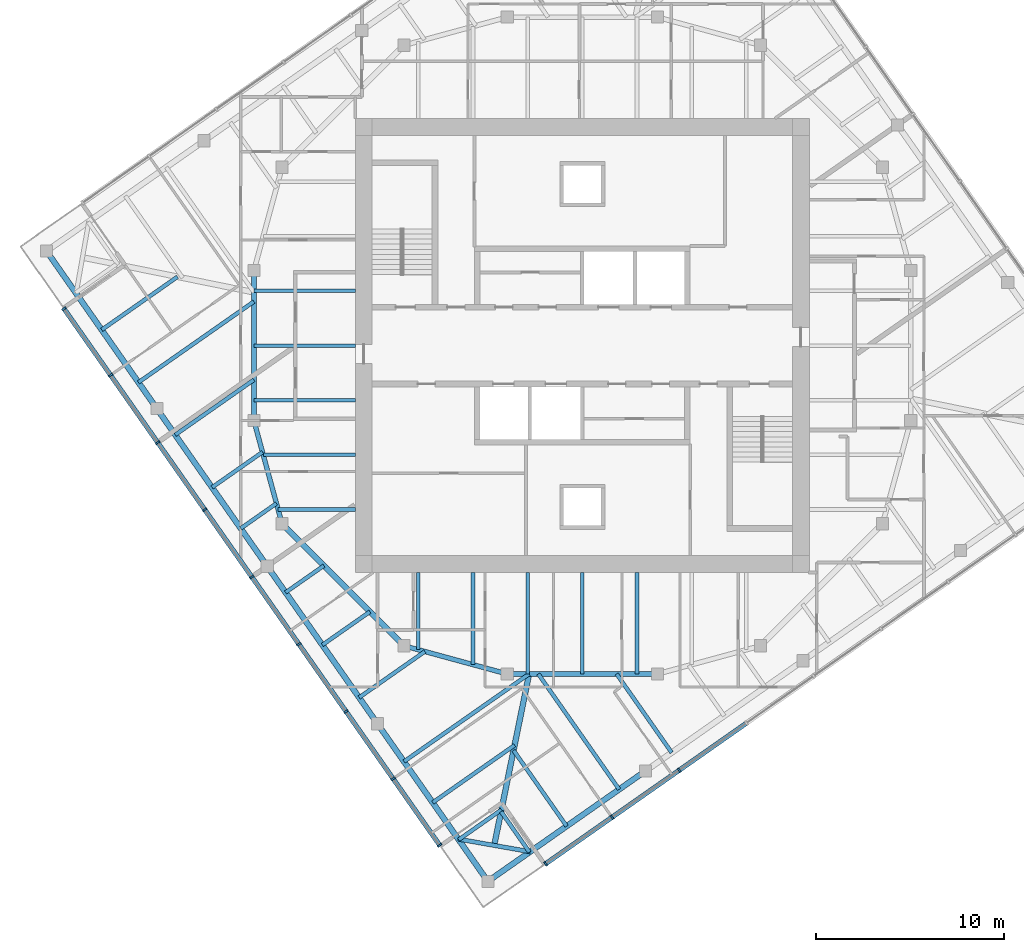
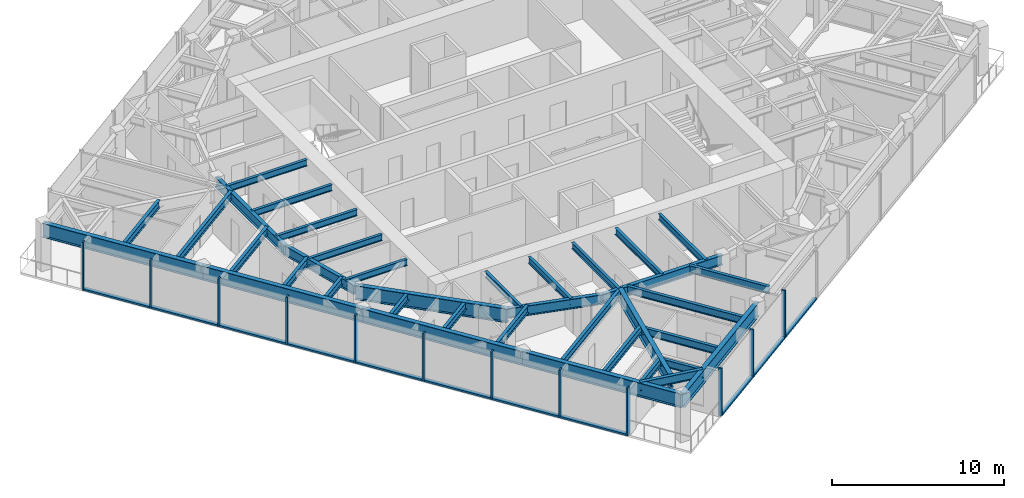
# One storey, part 2 of 13: 37 beams, 23 members, 2 elements without a shape of their own.
"""IFC4 building model written with IfcOpenShell, lengths in metres."""

from ifc_helpers import new_model, si_unit, direction, frame, origin, origin_2d, place, context, subcontext, project, spatial, rectangle, i_section, extrude, material, material_profile, profile_set, type_object, element, aggregate, save


model = new_model("IFC4")

# Units and contexts
model_context = context("Model", 3, precision=1e-05, world=origin(), true_north=direction((0.0, 1.0)))
body_context = subcontext(model_context, "Body", "Model", "MODEL_VIEW")
ifc_project = project(units=[si_unit("LENGTHUNIT", "METRE"), si_unit("AREAUNIT", "SQUARE_METRE"), si_unit("VOLUMEUNIT", "CUBIC_METRE"), si_unit("PLANEANGLEUNIT", "RADIAN"), si_unit("MASSUNIT", "GRAM", prefix="KILO")], contexts=[model_context])

# Site, building, storey
site_placement = place(None, origin())
site = spatial("IfcSite", under=ifc_project, at=site_placement, CompositionType="ELEMENT")
building_placement = place(site_placement, origin())
building = spatial("IfcBuilding", under=site, at=building_placement, Name="Torsade Residences", CompositionType="ELEMENT")
storey_placement = place(building_placement, frame((0.0, 0.0, 260.800048828125)))
storey = spatial("IfcBuildingStorey", under=building, at=storey_placement, Name="L72", CompositionType="ELEMENT", Elevation=260.800048828125)

# Beams
ifc_material_1 = material(Name="Steel grade 300", Category="steel")
ifc_material_profile_1 = material_profile(ifc_material_1, i_section(OverallWidth=0.300048828125, OverallDepth=0.89990234375, WebThickness=0.011962890625, FlangeThickness=0.02490234375, at=origin_2d()), Name="900WB175")
ifc_profile_set_1 = profile_set([ifc_material_profile_1], Name="Steel grade 300")
beam_type_1 = type_object("IfcBeamType", Name="CORNER GIRDER 900WB175", PredefinedType="BEAM", material=ifc_profile_set_1)
beam_1_placement = place(storey_placement, frame((35.303466796875, 3.364013671875, 2.800048828125), z_axis=(0.199584461589, 0.979880626756, 0.0), x_axis=(-0.979880626756, 0.199584461589, 0.0)))
element("IfcBeam", 1, at=beam_1_placement, inside=storey, type_object=beam_type_1, Name="Corner girder 01 L73", PredefinedType="BEAM", context=body_context, shape_type="SweptSolid", body=[
    extrude(i_section(OverallWidth=0.300048828125, OverallDepth=0.89990234375, WebThickness=0.011962890625, FlangeThickness=0.02490234375, at=origin_2d()), origin(), (0.0, 0.0, 1.0), 9.323486328125),
])
ifc_material_2 = material(Name="Steel grade 300", Category="steel")
ifc_material_profile_2 = material_profile(ifc_material_2, i_section(OverallWidth=0.22802734375, OverallDepth=0.60205078125, WebThickness=0.010498046875, FlangeThickness=0.014892578125, FilletRadius=0.013916015625, at=origin_2d()), Name="610UB101")
ifc_profile_set_2 = profile_set([ifc_material_profile_2], Name="Steel grade 300")
beam_type_2 = type_object("IfcBeamType", Name="CORNER TRIMMER 610UB101", PredefinedType="BEAM", material=ifc_profile_set_2)
beam_2_placement = place(storey_placement, frame((37.21826171875, 3.0263671875, 2.948974609375), z_axis=(-0.984808196894, 0.173645660267, 0.0), x_axis=(-0.173645660267, -0.984808196894, 0.0)))
element("IfcBeam", 2, at=beam_2_placement, inside=storey, type_object=beam_type_2, Name="Corner trimmer 01 L73", PredefinedType="BEAM", context=body_context, shape_type="SweptSolid", body=[
    extrude(i_section(OverallWidth=0.22802734375, OverallDepth=0.60205078125, WebThickness=0.010498046875, FlangeThickness=0.014892578125, FilletRadius=0.013916015625, at=origin_2d()), origin(), (0.0, 0.0, 1.0), 3.888916015625),
])
ifc_material_3 = material(Name="Steel grade 300", Category="steel")
ifc_material_profile_3 = material_profile(ifc_material_3, i_section(OverallWidth=0.300048828125, OverallDepth=1.0, WebThickness=0.01611328125, FlangeThickness=0.028076171875, at=origin_2d()), Name="1000WB215")
ifc_profile_set_3 = profile_set([ifc_material_profile_3], Name="Steel grade 300")
beam_type_3 = type_object("IfcBeamType", Name="EDGE BEAM 1000WB215", PredefinedType="SPANDREL", material=ifc_profile_set_3)
for number, where, z_axis, x_axis, name in (
    (3, (34.9658203125, 1.448974609375, 2.75), (0.819150225126, 0.573579034377, 0.0), (-0.573579034377, 0.819150225126, 0.0), "Edge beam 01 L73"),
    (4, (11.448974609375, 35.0341796875, 2.75), (0.573579034377, -0.819150225126, 0.0), (0.819150225126, 0.573579034377, 0.0), "Edge beam 13 L73"),
    (5, (17.328125, 26.637939453125, 2.75), (0.573579034377, -0.819150225126, 0.0), (0.819150225126, 0.573579034377, 0.0), "Edge beam 14 L73"),
    (6, (23.207275390625, 18.24169921875, 2.75), (0.573579034377, -0.819150225126, 0.0), (0.819150225126, 0.573579034377, 0.0), "Edge beam 15 L73"),
):
    element("IfcBeam", number, at=place(storey_placement, frame(where, z_axis=z_axis, x_axis=x_axis)), inside=storey, type_object=beam_type_3, Name=name, PredefinedType="SPANDREL", context=body_context, shape_type="SweptSolid", body=[
        extrude(i_section(OverallWidth=0.300048828125, OverallDepth=1.0, WebThickness=0.01611328125, FlangeThickness=0.028076171875, at=origin_2d()), origin(), (0.0, 0.0, 1.0), 10.25),
    ])
beam_3_placement = place(storey_placement, frame((29.08642578125, 9.845458984375, 2.75), z_axis=(0.573583825578, -0.819146870247, 0.0), x_axis=(0.819146870247, 0.573583825578, 0.0)))
element("IfcBeam", 7, at=beam_3_placement, inside=storey, type_object=beam_type_3, Name="Edge beam 16 L73", PredefinedType="SPANDREL", context=body_context, shape_type="SweptSolid", body=[
    extrude(i_section(OverallWidth=0.300048828125, OverallDepth=1.0, WebThickness=0.01611328125, FlangeThickness=0.028076171875, at=origin_2d()), origin(), (0.0, 0.0, 1.0), 10.250244140625),
])

# Curtain wall, members
ifc_material_4 = material(Name="Aluminium and glass", Category="aluminium")
curtain_wall_type = type_object("IfcCurtainWallType", Name="FRITTED GLASS CURTAIN WALL HIGH ZONE", PredefinedType="NOTDEFINED", material=ifc_material_4)
curtain_wall_1_placement = place(storey_placement, origin())
curtain_wall_1 = element("IfcCurtainWall", 8, at=curtain_wall_1_placement, inside=storey, type_object=curtain_wall_type, Name="Curtain wall L72 face 1", PredefinedType="NOTDEFINED")
ifc_material_5 = material(Name="Aluminium mullion", Category="aluminium")
ifc_material_profile_4 = material_profile(ifc_material_5, rectangle(XDim=0.25, YDim=0.10009765625, at=origin_2d()), Name="HIGH ZONE CURTAIN WALL MULLION 250x100")
ifc_profile_set_4 = profile_set([ifc_material_profile_4], Name="Aluminium mullion")
member_type_1 = type_object("IfcMemberType", Name="HIGH ZONE CURTAIN WALL MULLION 250x100", PredefinedType="MULLION", material=ifc_profile_set_4)
member_1_placement = place(storey_placement, frame((38.03759765625, 2.37939453125, 0.0), z_axis=(0.0, 0.0, 1.0), x_axis=(-0.573576457682, 0.819152029353, 0.0)))
member_1 = element("IfcMember", 9, at=member_1_placement, type_object=member_type_1, Name="Mullion 1", PredefinedType="MULLION", context=body_context, shape_type="SweptSolid", body=[
    extrude(rectangle(XDim=0.25, YDim=0.10009765625, at=origin_2d()), origin(), (0.0, 0.0, 1.0), 3.39990234375),
])
member_2_placement = place(storey_placement, frame((41.58056640625, 4.860107421875, 0.0), z_axis=(0.0, 0.0, 1.0), x_axis=(-0.573576457682, 0.819152029353, 0.0)))
member_2 = element("IfcMember", 10, at=member_2_placement, type_object=member_type_1, Name="Mullion 2", PredefinedType="MULLION", context=body_context, shape_type="SweptSolid", body=[
    extrude(rectangle(XDim=0.25, YDim=0.10009765625, at=origin_2d()), origin(), (0.0, 0.0, 1.0), 3.39990234375),
])
member_3_placement = place(storey_placement, frame((45.164306640625, 7.369384765625, 0.0), z_axis=(0.0, 0.0, 1.0), x_axis=(-0.573576457682, 0.819152029353, 0.0)))
member_3 = element("IfcMember", 11, at=member_3_placement, type_object=member_type_1, Name="Mullion 3", PredefinedType="MULLION", context=body_context, shape_type="SweptSolid", body=[
    extrude(rectangle(XDim=0.25, YDim=0.10009765625, at=origin_2d()), origin(), (0.0, 0.0, 1.0), 3.39990234375),
])

curtain_wall_2_placement = place(storey_placement, origin())
curtain_wall_2 = element("IfcCurtainWall", 12, at=curtain_wall_2_placement, inside=storey, type_object=curtain_wall_type, Name="Curtain wall L72 face 10", PredefinedType="NOTDEFINED")
member_4_placement = place(storey_placement, frame((12.37939453125, 31.96240234375, 0.0), z_axis=(0.0, 0.0, 1.0), x_axis=(0.819152029353, 0.573576457682, 0.0)))
member_4 = element("IfcMember", 13, at=member_4_placement, type_object=member_type_1, Name="Mullion 1", PredefinedType="MULLION", context=body_context, shape_type="SweptSolid", body=[
    extrude(rectangle(XDim=0.25, YDim=0.10009765625, at=origin_2d()), origin(), (0.0, 0.0, 1.0), 3.39990234375),
])
member_5_placement = place(storey_placement, frame((14.860107421875, 28.41943359375, 0.0), z_axis=(0.0, 0.0, 1.0), x_axis=(0.819152029353, 0.573576457682, 0.0)))
member_5 = element("IfcMember", 14, at=member_5_placement, type_object=member_type_1, Name="Mullion 2", PredefinedType="MULLION", context=body_context, shape_type="SweptSolid", body=[
    extrude(rectangle(XDim=0.25, YDim=0.10009765625, at=origin_2d()), origin(), (0.0, 0.0, 1.0), 3.39990234375),
])
member_6_placement = place(storey_placement, frame((17.369384765625, 24.835693359375, 0.0), z_axis=(0.0, 0.0, 1.0), x_axis=(0.819152029353, 0.573576457682, 0.0)))
member_6 = element("IfcMember", 15, at=member_6_placement, type_object=member_type_1, Name="Mullion 3", PredefinedType="MULLION", context=body_context, shape_type="SweptSolid", body=[
    extrude(rectangle(XDim=0.25, YDim=0.10009765625, at=origin_2d()), origin(), (0.0, 0.0, 1.0), 3.39990234375),
])
member_7_placement = place(storey_placement, frame((19.87890625, 21.251953125, 0.0), z_axis=(0.0, 0.0, 1.0), x_axis=(0.819152029353, 0.573576457682, 0.0)))
member_7 = element("IfcMember", 16, at=member_7_placement, type_object=member_type_1, Name="Mullion 4", PredefinedType="MULLION", context=body_context, shape_type="SweptSolid", body=[
    extrude(rectangle(XDim=0.25, YDim=0.10009765625, at=origin_2d()), origin(), (0.0, 0.0, 1.0), 3.39990234375),
])
member_8_placement = place(storey_placement, frame((22.38818359375, 17.668212890625, 0.0), z_axis=(0.0, 0.0, 1.0), x_axis=(0.819152029353, 0.573576457682, 0.0)))
member_8 = element("IfcMember", 17, at=member_8_placement, type_object=member_type_1, Name="Mullion 5", PredefinedType="MULLION", context=body_context, shape_type="SweptSolid", body=[
    extrude(rectangle(XDim=0.25, YDim=0.10009765625, at=origin_2d()), origin(), (0.0, 0.0, 1.0), 3.39990234375),
])
member_9_placement = place(storey_placement, frame((24.897705078125, 14.084228515625, 0.0), z_axis=(0.0, 0.0, 1.0), x_axis=(0.819152029353, 0.573576457682, 0.0)))
member_9 = element("IfcMember", 18, at=member_9_placement, type_object=member_type_1, Name="Mullion 6", PredefinedType="MULLION", context=body_context, shape_type="SweptSolid", body=[
    extrude(rectangle(XDim=0.25, YDim=0.10009765625, at=origin_2d()), origin(), (0.0, 0.0, 1.0), 3.39990234375),
])
member_10_placement = place(storey_placement, frame((27.406982421875, 10.50048828125, 0.0), z_axis=(0.0, 0.0, 1.0), x_axis=(0.819152029353, 0.573576457682, 0.0)))
member_10 = element("IfcMember", 19, at=member_10_placement, type_object=member_type_1, Name="Mullion 7", PredefinedType="MULLION", context=body_context, shape_type="SweptSolid", body=[
    extrude(rectangle(XDim=0.25, YDim=0.10009765625, at=origin_2d()), origin(), (0.0, 0.0, 1.0), 3.39990234375),
])
member_11_placement = place(storey_placement, frame((29.91650390625, 6.916748046875, 0.0), z_axis=(0.0, 0.0, 1.0), x_axis=(0.819152029353, 0.573576457682, 0.0)))
member_11 = element("IfcMember", 20, at=member_11_placement, type_object=member_type_1, Name="Mullion 8", PredefinedType="MULLION", context=body_context, shape_type="SweptSolid", body=[
    extrude(rectangle(XDim=0.25, YDim=0.10009765625, at=origin_2d()), origin(), (0.0, 0.0, 1.0), 3.39990234375),
])
member_12_placement = place(storey_placement, frame((32.397216796875, 3.3740234375, 0.0), z_axis=(0.0, 0.0, 1.0), x_axis=(0.819152029353, 0.573576457682, 0.0)))
member_12 = element("IfcMember", 21, at=member_12_placement, type_object=member_type_1, Name="Mullion 9", PredefinedType="MULLION", context=body_context, shape_type="SweptSolid", body=[
    extrude(rectangle(XDim=0.25, YDim=0.10009765625, at=origin_2d()), origin(), (0.0, 0.0, 1.0), 3.39990234375),
])

# Member
ifc_material_6 = material(Name="Aluminium transom", Category="aluminium")
ifc_material_profile_5 = material_profile(ifc_material_6, rectangle(XDim=0.25, YDim=0.1201171875, at=origin_2d()), Name="HIGH ZONE CURTAIN WALL TRANSOM 250x120")
ifc_profile_set_5 = profile_set([ifc_material_profile_5], Name="Aluminium transom")
member_type_2 = type_object("IfcMemberType", Name="HIGH ZONE CURTAIN WALL TRANSOM 250x120", PredefinedType="USERDEFINED", material=ifc_profile_set_5)
member_13_placement = place(storey_placement, frame((38.07861328125, 2.407958984375, 0.06005859375), z_axis=(0.819155901234, 0.573570928023, 0.0), x_axis=(-0.573570928023, 0.819155901234, 0.0)))
member_13 = element("IfcMember", 22, at=member_13_placement, type_object=member_type_2, Name="Transom 1.1", ObjectType="TRANSOM", PredefinedType="USERDEFINED", context=body_context, shape_type="SweptSolid", body=[
    extrude(rectangle(XDim=0.25, YDim=0.1201171875, at=origin_2d()), origin(), (0.0, 0.0, 1.0), 4.22509765625),
])

member_14_placement = place(storey_placement, frame((41.62158203125, 4.888671875, 0.06005859375), z_axis=(0.819127269283, 0.573611817101, 0.0), x_axis=(-0.573611817101, 0.819127269283, 0.0)))
member_14 = element("IfcMember", 23, at=member_14_placement, type_object=member_type_2, Name="Transom 2.1", ObjectType="TRANSOM", PredefinedType="USERDEFINED", context=body_context, shape_type="SweptSolid", body=[
    extrude(rectangle(XDim=0.25, YDim=0.1201171875, at=origin_2d()), origin(), (0.0, 0.0, 1.0), 4.27490234375),
])

member_15_placement = place(storey_placement, frame((45.205322265625, 7.398193359375, 0.06005859375), z_axis=(0.819154102984, 0.573573496219, 0.0), x_axis=(-0.573573496219, 0.819154102984, 0.0)))
member_15 = element("IfcMember", 24, at=member_15_placement, type_object=member_type_2, Name="Transom 3.1", ObjectType="TRANSOM", PredefinedType="USERDEFINED", context=body_context, shape_type="SweptSolid", body=[
    extrude(rectangle(XDim=0.25, YDim=0.1201171875, at=origin_2d()), origin(), (0.0, 0.0, 1.0), 4.27490234375),
])

aggregate(curtain_wall_1, [member_1, member_2, member_3, member_13, member_14, member_15])

member_16_placement = place(storey_placement, frame((12.407958984375, 31.92138671875, 0.06005859375), z_axis=(0.573570928023, -0.819155901234, 0.0), x_axis=(0.819155901234, 0.573570928023, 0.0)))
member_16 = element("IfcMember", 25, at=member_16_placement, type_object=member_type_2, Name="Transom 1.1", ObjectType="TRANSOM", PredefinedType="USERDEFINED", context=body_context, shape_type="SweptSolid", body=[
    extrude(rectangle(XDim=0.25, YDim=0.1201171875, at=origin_2d()), origin(), (0.0, 0.0, 1.0), 4.22509765625),
])

member_17_placement = place(storey_placement, frame((14.888671875, 28.37841796875, 0.06005859375), z_axis=(0.573611817101, -0.819127269283, 0.0), x_axis=(0.819127269283, 0.573611817101, 0.0)))
member_17 = element("IfcMember", 26, at=member_17_placement, type_object=member_type_2, Name="Transom 2.1", ObjectType="TRANSOM", PredefinedType="USERDEFINED", context=body_context, shape_type="SweptSolid", body=[
    extrude(rectangle(XDim=0.25, YDim=0.1201171875, at=origin_2d()), origin(), (0.0, 0.0, 1.0), 4.27490234375),
])

member_18_placement = place(storey_placement, frame((17.398193359375, 24.794677734375, 0.06005859375), z_axis=(0.573573496219, -0.819154102984, 0.0), x_axis=(0.819154102984, 0.573573496219, 0.0)))
member_18 = element("IfcMember", 27, at=member_18_placement, type_object=member_type_2, Name="Transom 3.1", ObjectType="TRANSOM", PredefinedType="USERDEFINED", context=body_context, shape_type="SweptSolid", body=[
    extrude(rectangle(XDim=0.25, YDim=0.1201171875, at=origin_2d()), origin(), (0.0, 0.0, 1.0), 4.27490234375),
])

member_19_placement = place(storey_placement, frame((19.907470703125, 21.2109375, 0.06005859375), z_axis=(0.57358498433, -0.819146058863, 0.0), x_axis=(0.819146058863, 0.57358498433, 0.0)))
member_19 = element("IfcMember", 28, at=member_19_placement, type_object=member_type_2, Name="Transom 4.1", ObjectType="TRANSOM", PredefinedType="USERDEFINED", context=body_context, shape_type="SweptSolid", body=[
    extrude(rectangle(XDim=0.25, YDim=0.1201171875, at=origin_2d()), origin(), (0.0, 0.0, 1.0), 4.275146484375),
])

member_20_placement = place(storey_placement, frame((22.4169921875, 17.627197265625, 0.06005859375), z_axis=(0.573546663483, -0.81917289067, 0.0), x_axis=(0.81917289067, 0.573546663483, 0.0)))
member_20 = element("IfcMember", 29, at=member_20_placement, type_object=member_type_2, Name="Transom 5.1", ObjectType="TRANSOM", PredefinedType="USERDEFINED", context=body_context, shape_type="SweptSolid", body=[
    extrude(rectangle(XDim=0.25, YDim=0.1201171875, at=origin_2d()), origin(), (0.0, 0.0, 1.0), 4.27490234375),
])

member_21_placement = place(storey_placement, frame((24.92626953125, 14.04345703125, 0.06005859375), z_axis=(0.57358498433, -0.819146058863, 0.0), x_axis=(0.819146058863, 0.57358498433, 0.0)))
member_21 = element("IfcMember", 30, at=member_21_placement, type_object=member_type_2, Name="Transom 6.1", ObjectType="TRANSOM", PredefinedType="USERDEFINED", context=body_context, shape_type="SweptSolid", body=[
    extrude(rectangle(XDim=0.25, YDim=0.1201171875, at=origin_2d()), origin(), (0.0, 0.0, 1.0), 4.275146484375),
])

member_22_placement = place(storey_placement, frame((27.435791015625, 10.45947265625, 0.06005859375), z_axis=(0.573573496219, -0.819154102984, 0.0), x_axis=(0.819154102984, 0.573573496219, 0.0)))
member_22 = element("IfcMember", 31, at=member_22_placement, type_object=member_type_2, Name="Transom 7.1", ObjectType="TRANSOM", PredefinedType="USERDEFINED", context=body_context, shape_type="SweptSolid", body=[
    extrude(rectangle(XDim=0.25, YDim=0.1201171875, at=origin_2d()), origin(), (0.0, 0.0, 1.0), 4.27490234375),
])

member_23_placement = place(storey_placement, frame((29.945068359375, 6.875732421875, 0.06005859375), z_axis=(0.573570928023, -0.819155901234, 0.0), x_axis=(0.819155901234, 0.573570928023, 0.0)))
member_23 = element("IfcMember", 32, at=member_23_placement, type_object=member_type_2, Name="Transom 8.1", ObjectType="TRANSOM", PredefinedType="USERDEFINED", context=body_context, shape_type="SweptSolid", body=[
    extrude(rectangle(XDim=0.25, YDim=0.1201171875, at=origin_2d()), origin(), (0.0, 0.0, 1.0), 4.22509765625),
])

aggregate(curtain_wall_2, [member_4, member_5, member_6, member_7, member_8, member_9, member_10, member_11, member_12, member_16, member_17, member_18, member_19, member_20, member_21, member_22, member_23])

# Beams
ifc_material_7 = material(Name="Steel grade 300", Category="steel")
ifc_material_profile_6 = material_profile(ifc_material_7, i_section(OverallWidth=0.18994140625, OverallDepth=0.4541015625, WebThickness=0.008544921875, FlangeThickness=0.0126953125, FilletRadius=0.011474609375, at=origin_2d()), Name="460UB67.1")
ifc_profile_set_6 = profile_set([ifc_material_profile_6], Name="Steel grade 300")
beam_type_4 = type_object("IfcBeamType", Name="INNER FLOOR BEAM 460UB67.1", PredefinedType="JOIST", material=ifc_profile_set_6)
for number, where, z_axis, x_axis, name in (
    (33, (42.91259765625, 17.89990234375, 3.02294921875), (0.0, -1.0, 0.0), (1.0, 0.0, 0.0), "Inner floor beam IS03 L73"),
    (34, (40.0, 17.89990234375, 3.02294921875), (0.0, -1.0, 0.0), (1.0, 0.0, 0.0), "Inner floor beam IS04 L73"),
    (35, (37.08740234375, 17.89990234375, 3.02294921875), (0.0, -1.0, 0.0), (1.0, 0.0, 0.0), "Inner floor beam IS05 L73"),
):
    element("IfcBeam", number, at=place(storey_placement, frame(where, z_axis=z_axis, x_axis=x_axis)), inside=storey, type_object=beam_type_4, Name=name, PredefinedType="JOIST", context=body_context, shape_type="SweptSolid", body=[
        extrude(i_section(OverallWidth=0.18994140625, OverallDepth=0.4541015625, WebThickness=0.008544921875, FlangeThickness=0.0126953125, FilletRadius=0.011474609375, at=origin_2d()), origin(), (0.0, 0.0, 1.0), 5.39990234375),
    ])
beam_4_placement = place(storey_placement, frame((34.175048828125, 17.89990234375, 3.02294921875), z_axis=(0.0, -1.0, 0.0), x_axis=(1.0, 0.0, 0.0)))
element("IfcBeam", 36, at=beam_4_placement, inside=storey, type_object=beam_type_4, Name="Inner floor beam IS06 L73", PredefinedType="JOIST", context=body_context, shape_type="SweptSolid", body=[
    extrude(i_section(OverallWidth=0.18994140625, OverallDepth=0.4541015625, WebThickness=0.008544921875, FlangeThickness=0.0126953125, FilletRadius=0.011474609375, at=origin_2d()), origin(), (0.0, 0.0, 1.0), 4.902099609375),
])
beam_5_placement = place(storey_placement, frame((31.262451171875, 17.89990234375, 3.02294921875), z_axis=(0.0, -1.0, 0.0), x_axis=(1.0, 0.0, 0.0)))
element("IfcBeam", 37, at=beam_5_placement, inside=storey, type_object=beam_type_4, Name="Inner floor beam IS07 L73", PredefinedType="JOIST", context=body_context, shape_type="SweptSolid", body=[
    extrude(i_section(OverallWidth=0.18994140625, OverallDepth=0.4541015625, WebThickness=0.008544921875, FlangeThickness=0.0126953125, FilletRadius=0.011474609375, at=origin_2d()), origin(), (0.0, 0.0, 1.0), 4.10791015625),
])
for number, where, z_axis, x_axis, name in (
    (38, (27.89990234375, 32.91259765625, 3.02294921875), (-1.0, 0.0, 0.0), (0.0, -1.0, 0.0), "Inner floor beam IW03 L73"),
    (39, (27.89990234375, 30.0, 3.02294921875), (-1.0, 0.0, 0.0), (0.0, -1.0, 0.0), "Inner floor beam IW04 L73"),
    (40, (27.89990234375, 27.08740234375, 3.02294921875), (-1.0, 0.0, 0.0), (0.0, -1.0, 0.0), "Inner floor beam IW05 L73"),
):
    element("IfcBeam", number, at=place(storey_placement, frame(where, z_axis=z_axis, x_axis=x_axis)), inside=storey, type_object=beam_type_4, Name=name, PredefinedType="JOIST", context=body_context, shape_type="SweptSolid", body=[
        extrude(i_section(OverallWidth=0.18994140625, OverallDepth=0.4541015625, WebThickness=0.008544921875, FlangeThickness=0.0126953125, FilletRadius=0.011474609375, at=origin_2d()), origin(), (0.0, 0.0, 1.0), 5.39990234375),
    ])
beam_6_placement = place(storey_placement, frame((27.89990234375, 24.175048828125, 3.02294921875), z_axis=(-1.0, 0.0, 0.0), x_axis=(0.0, -1.0, 0.0)))
element("IfcBeam", 41, at=beam_6_placement, inside=storey, type_object=beam_type_4, Name="Inner floor beam IW06 L73", PredefinedType="JOIST", context=body_context, shape_type="SweptSolid", body=[
    extrude(i_section(OverallWidth=0.18994140625, OverallDepth=0.4541015625, WebThickness=0.008544921875, FlangeThickness=0.0126953125, FilletRadius=0.011474609375, at=origin_2d()), origin(), (0.0, 0.0, 1.0), 4.902099609375),
])
beam_7_placement = place(storey_placement, frame((27.89990234375, 21.262451171875, 3.02294921875), z_axis=(-1.0, 0.0, 0.0), x_axis=(0.0, -1.0, 0.0)))
element("IfcBeam", 42, at=beam_7_placement, inside=storey, type_object=beam_type_4, Name="Inner floor beam IW07 L73", PredefinedType="JOIST", context=body_context, shape_type="SweptSolid", body=[
    extrude(i_section(OverallWidth=0.18994140625, OverallDepth=0.4541015625, WebThickness=0.008544921875, FlangeThickness=0.0126953125, FilletRadius=0.011474609375, at=origin_2d()), origin(), (0.0, 0.0, 1.0), 4.10791015625),
])
ifc_material_8 = material(Name="Steel grade 300", Category="steel")
ifc_material_profile_7 = material_profile(ifc_material_8, i_section(OverallWidth=0.300048828125, OverallDepth=1.0, WebThickness=0.01611328125, FlangeThickness=0.028076171875, at=origin_2d()), Name="1000WB215")
ifc_profile_set_7 = profile_set([ifc_material_profile_7], Name="Steel grade 300")
beam_type_5 = type_object("IfcBeamType", Name="RING CORNER GIRDER 1000WB215", PredefinedType="BEAM", material=ifc_profile_set_7)
beam_8_placement = place(storey_placement, frame((24.0, 20.5, 2.75), z_axis=(0.707106781187, -0.707106781187, 0.0), x_axis=(0.707106781187, 0.707106781187, 0.0)))
element("IfcBeam", 43, at=beam_8_placement, inside=storey, type_object=beam_type_5, Name="Ring girder IR11 L73", PredefinedType="BEAM", context=body_context, shape_type="SweptSolid", body=[
    extrude(i_section(OverallWidth=0.300048828125, OverallDepth=1.0, WebThickness=0.01611328125, FlangeThickness=0.028076171875, at=origin_2d()), origin(), (0.0, 0.0, 1.0), 9.1923828125),
])
ifc_material_9 = material(Name="Steel grade 300", Category="steel")
ifc_material_profile_8 = material_profile(ifc_material_9, i_section(OverallWidth=0.25, OverallDepth=0.699951171875, WebThickness=0.010009765625, FlangeThickness=0.02001953125, at=origin_2d()), Name="700WB130")
ifc_profile_set_8 = profile_set([ifc_material_profile_8], Name="Steel grade 300")
beam_type_6 = type_object("IfcBeamType", Name="RING GIRDER 700WB130", PredefinedType="BEAM", material=ifc_profile_set_8)
beam_9_placement = place(storey_placement, frame((22.5, 34.0, 2.89990234375), z_axis=(0.0, -1.0, 0.0), x_axis=(1.0, 0.0, 0.0)))
element("IfcBeam", 44, at=beam_9_placement, inside=storey, type_object=beam_type_6, Name="Ring girder IR09 L73", PredefinedType="BEAM", context=body_context, shape_type="SweptSolid", body=[
    extrude(i_section(OverallWidth=0.25, OverallDepth=0.699951171875, WebThickness=0.010009765625, FlangeThickness=0.02001953125, at=origin_2d()), origin(), (0.0, 0.0, 1.0), 8.0),
])
for number, where, z_axis, x_axis, name in (
    (45, (22.5, 26.0, 2.89990234375), (0.263117405792, -0.964763821238, 0.0), (0.964763821238, 0.263117405792, 0.0), "Ring girder IR10 L73"),
    (46, (30.5, 14.0, 2.89990234375), (0.964763821238, -0.263117405792, 0.0), (0.263117405792, 0.964763821238, 0.0), "Ring girder IR12 L73"),
):
    element("IfcBeam", number, at=place(storey_placement, frame(where, z_axis=z_axis, x_axis=x_axis)), inside=storey, type_object=beam_type_6, Name=name, PredefinedType="BEAM", context=body_context, shape_type="SweptSolid", body=[
        extrude(i_section(OverallWidth=0.25, OverallDepth=0.699951171875, WebThickness=0.010009765625, FlangeThickness=0.02001953125, at=origin_2d()), origin(), (0.0, 0.0, 1.0), 5.700927734375),
    ])
beam_10_placement = place(storey_placement, frame((36.0, 12.5, 2.89990234375), z_axis=(1.0, 0.0, 0.0), x_axis=(0.0, 1.0, 0.0)))
element("IfcBeam", 47, at=beam_10_placement, inside=storey, type_object=beam_type_6, Name="Ring girder IR13 L73", PredefinedType="BEAM", context=body_context, shape_type="SweptSolid", body=[
    extrude(i_section(OverallWidth=0.25, OverallDepth=0.699951171875, WebThickness=0.010009765625, FlangeThickness=0.02001953125, at=origin_2d()), origin(), (0.0, 0.0, 1.0), 8.0),
])
ifc_material_10 = material(Name="Steel grade 300", Category="steel")
ifc_material_profile_9 = material_profile(ifc_material_10, i_section(OverallWidth=0.208984375, OverallDepth=0.532958984375, WebThickness=0.01025390625, FlangeThickness=0.015625, FilletRadius=0.013916015625, at=origin_2d()), Name="530UB92.4")
ifc_profile_set_9 = profile_set([ifc_material_profile_9], Name="Steel grade 300")
beam_type_7 = type_object("IfcBeamType", Name="SECONDARY BEAM 530UB92.4", PredefinedType="JOIST", material=ifc_profile_set_9)
beam_11_placement = place(storey_placement, frame((37.184326171875, 3.00244140625, 2.9833984375), z_axis=(-0.573592685254, 0.819140666445, 0.0), x_axis=(-0.819140666445, -0.573592685254, 0.0)))
element("IfcBeam", 48, at=beam_11_placement, inside=storey, type_object=beam_type_7, Name="Floor beam FS01 L73", PredefinedType="JOIST", context=body_context, shape_type="SweptSolid", body=[
    extrude(i_section(OverallWidth=0.208984375, OverallDepth=0.532958984375, WebThickness=0.01025390625, FlangeThickness=0.015625, FilletRadius=0.013916015625, at=origin_2d()), origin(), (0.0, 0.0, 1.0), 2.639892578125),
])
beam_12_placement = place(storey_placement, frame((39.163818359375, 4.388671875, 2.9833984375), z_axis=(-0.573575295634, 0.819152843027, 0.0), x_axis=(-0.819152843027, -0.573575295634, 0.0)))
element("IfcBeam", 49, at=beam_12_placement, inside=storey, type_object=beam_type_7, Name="Floor beam FS02 L73", PredefinedType="JOIST", context=body_context, shape_type="SweptSolid", body=[
    extrude(i_section(OverallWidth=0.208984375, OverallDepth=0.532958984375, WebThickness=0.01025390625, FlangeThickness=0.015625, FilletRadius=0.013916015625, at=origin_2d()), origin(), (0.0, 0.0, 1.0), 4.931884765625),
])
beam_13_placement = place(storey_placement, frame((41.962646484375, 6.348388671875, 2.9833984375), z_axis=(-0.573573614851, 0.819154019917, 0.0), x_axis=(-0.819154019917, -0.573573614851, 0.0)))
element("IfcBeam", 50, at=beam_13_placement, inside=storey, type_object=beam_type_7, Name="Floor beam FS03 L73", PredefinedType="JOIST", context=body_context, shape_type="SweptSolid", body=[
    extrude(i_section(OverallWidth=0.208984375, OverallDepth=0.532958984375, WebThickness=0.01025390625, FlangeThickness=0.015625, FilletRadius=0.013916015625, at=origin_2d()), origin(), (0.0, 0.0, 1.0), 7.509765625),
])
beam_14_placement = place(storey_placement, frame((44.761474609375, 8.30810546875, 2.9833984375), z_axis=(-0.573590411882, 0.819142258339, 0.0), x_axis=(-0.819142258339, -0.573590411882, 0.0)))
element("IfcBeam", 51, at=beam_14_placement, inside=storey, type_object=beam_type_7, Name="Floor beam FS04 L73", PredefinedType="JOIST", context=body_context, shape_type="SweptSolid", body=[
    extrude(i_section(OverallWidth=0.208984375, OverallDepth=0.532958984375, WebThickness=0.01025390625, FlangeThickness=0.015625, FilletRadius=0.013916015625, at=origin_2d()), origin(), (0.0, 0.0, 1.0), 5.117431640625),
])
beam_15_placement = place(storey_placement, frame((14.388671875, 30.836181640625, 2.9833984375), z_axis=(0.819152843027, 0.573575295634, 0.0), x_axis=(-0.573575295634, 0.819152843027, 0.0)))
element("IfcBeam", 52, at=beam_15_placement, inside=storey, type_object=beam_type_7, Name="Floor beam FW02 L73", PredefinedType="JOIST", context=body_context, shape_type="SweptSolid", body=[
    extrude(i_section(OverallWidth=0.208984375, OverallDepth=0.532958984375, WebThickness=0.01025390625, FlangeThickness=0.015625, FilletRadius=0.013916015625, at=origin_2d()), origin(), (0.0, 0.0, 1.0), 4.931884765625),
])
beam_16_placement = place(storey_placement, frame((16.348388671875, 28.037353515625, 2.9833984375), z_axis=(0.819154019917, 0.573573614851, 0.0), x_axis=(-0.573573614851, 0.819154019917, 0.0)))
element("IfcBeam", 53, at=beam_16_placement, inside=storey, type_object=beam_type_7, Name="Floor beam FW03 L73", PredefinedType="JOIST", context=body_context, shape_type="SweptSolid", body=[
    extrude(i_section(OverallWidth=0.208984375, OverallDepth=0.532958984375, WebThickness=0.01025390625, FlangeThickness=0.015625, FilletRadius=0.013916015625, at=origin_2d()), origin(), (0.0, 0.0, 1.0), 7.509765625),
])
beam_17_placement = place(storey_placement, frame((18.30810546875, 25.238525390625, 2.9833984375), z_axis=(0.819142258339, 0.573590411882, 0.0), x_axis=(-0.573590411882, 0.819142258339, 0.0)))
element("IfcBeam", 54, at=beam_17_placement, inside=storey, type_object=beam_type_7, Name="Floor beam FW04 L73", PredefinedType="JOIST", context=body_context, shape_type="SweptSolid", body=[
    extrude(i_section(OverallWidth=0.208984375, OverallDepth=0.532958984375, WebThickness=0.01025390625, FlangeThickness=0.015625, FilletRadius=0.013916015625, at=origin_2d()), origin(), (0.0, 0.0, 1.0), 5.117431640625),
])
beam_18_placement = place(storey_placement, frame((20.267822265625, 22.43994140625, 2.9833984375), z_axis=(0.819169032504, 0.573552173902, 0.0), x_axis=(-0.573552173902, 0.819169032504, 0.0)))
element("IfcBeam", 55, at=beam_18_placement, inside=storey, type_object=beam_type_7, Name="Floor beam FW05 L73", PredefinedType="JOIST", context=body_context, shape_type="SweptSolid", body=[
    extrude(i_section(OverallWidth=0.208984375, OverallDepth=0.532958984375, WebThickness=0.01025390625, FlangeThickness=0.015625, FilletRadius=0.013916015625, at=origin_2d()), origin(), (0.0, 0.0, 1.0), 3.283203125),
])
beam_19_placement = place(storey_placement, frame((21.79736328125, 20.25537109375, 2.9833984375), z_axis=(0.819157953557, 0.573567996949, 0.0), x_axis=(-0.573567996949, 0.819157953557, 0.0)))
element("IfcBeam", 56, at=beam_19_placement, inside=storey, type_object=beam_type_7, Name="Floor beam FW06 L73", PredefinedType="JOIST", context=body_context, shape_type="SweptSolid", body=[
    extrude(i_section(OverallWidth=0.208984375, OverallDepth=0.532958984375, WebThickness=0.01025390625, FlangeThickness=0.015625, FilletRadius=0.013916015625, at=origin_2d()), origin(), (0.0, 0.0, 1.0), 2.326171875),
])
beam_20_placement = place(storey_placement, frame((24.187255859375, 16.84228515625, 2.9833984375), z_axis=(0.819172078752, 0.573547823109, 0.0), x_axis=(-0.573547823109, 0.819172078752, 0.0)))
element("IfcBeam", 57, at=beam_20_placement, inside=storey, type_object=beam_type_7, Name="Floor beam FW07 L73", PredefinedType="JOIST", context=body_context, shape_type="SweptSolid", body=[
    extrude(i_section(OverallWidth=0.208984375, OverallDepth=0.532958984375, WebThickness=0.01025390625, FlangeThickness=0.015625, FilletRadius=0.013916015625, at=origin_2d()), origin(), (0.0, 0.0, 1.0), 2.491943359375),
])
beam_21_placement = place(storey_placement, frame((26.14697265625, 14.04345703125, 2.9833984375), z_axis=(0.819135534955, 0.573600013401, 0.0), x_axis=(-0.573600013401, 0.819135534955, 0.0)))
element("IfcBeam", 58, at=beam_21_placement, inside=storey, type_object=beam_type_7, Name="Floor beam FW08 L73", PredefinedType="JOIST", context=body_context, shape_type="SweptSolid", body=[
    extrude(i_section(OverallWidth=0.208984375, OverallDepth=0.532958984375, WebThickness=0.01025390625, FlangeThickness=0.015625, FilletRadius=0.013916015625, at=origin_2d()), origin(), (0.0, 0.0, 1.0), 3.09423828125),
])
beam_22_placement = place(storey_placement, frame((28.106689453125, 11.244873046875, 2.9833984375), z_axis=(0.819148759439, 0.573581127575, 0.0), x_axis=(-0.573581127575, 0.819148759439, 0.0)))
element("IfcBeam", 59, at=beam_22_placement, inside=storey, type_object=beam_type_7, Name="Floor beam FW09 L73", PredefinedType="JOIST", context=body_context, shape_type="SweptSolid", body=[
    extrude(i_section(OverallWidth=0.208984375, OverallDepth=0.532958984375, WebThickness=0.01025390625, FlangeThickness=0.015625, FilletRadius=0.013916015625, at=origin_2d()), origin(), (0.0, 0.0, 1.0), 4.276123046875),
])
beam_23_placement = place(storey_placement, frame((30.49658203125, 7.83154296875, 2.9833984375), z_axis=(0.819151588523, 0.573577087251, 0.0), x_axis=(-0.573577087251, 0.819151588523, 0.0)))
element("IfcBeam", 60, at=beam_23_placement, inside=storey, type_object=beam_type_7, Name="Floor beam FW10 L73", PredefinedType="JOIST", context=body_context, shape_type="SweptSolid", body=[
    extrude(i_section(OverallWidth=0.208984375, OverallDepth=0.532958984375, WebThickness=0.01025390625, FlangeThickness=0.015625, FilletRadius=0.013916015625, at=origin_2d()), origin(), (0.0, 0.0, 1.0), 8.13916015625),
])
beam_24_placement = place(storey_placement, frame((32.026123046875, 5.647216796875, 2.9833984375), z_axis=(0.819137197966, 0.573597638513, 0.0), x_axis=(-0.573597638513, 0.819137197966, 0.0)))
element("IfcBeam", 61, at=beam_24_placement, inside=storey, type_object=beam_type_7, Name="Floor beam FW11 L73", PredefinedType="JOIST", context=body_context, shape_type="SweptSolid", body=[
    extrude(i_section(OverallWidth=0.208984375, OverallDepth=0.532958984375, WebThickness=0.01025390625, FlangeThickness=0.015625, FilletRadius=0.013916015625, at=origin_2d()), origin(), (0.0, 0.0, 1.0), 5.328369140625),
])
beam_25_placement = place(storey_placement, frame((33.412353515625, 3.667724609375, 2.9833984375), z_axis=(0.819190669238, 0.573521270253, 0.0), x_axis=(-0.573521270253, 0.819190669238, 0.0)))
element("IfcBeam", 62, at=beam_25_placement, inside=storey, type_object=beam_type_7, Name="Floor beam FW12 L73", PredefinedType="JOIST", context=body_context, shape_type="SweptSolid", body=[
    extrude(i_section(OverallWidth=0.208984375, OverallDepth=0.532958984375, WebThickness=0.01025390625, FlangeThickness=0.015625, FilletRadius=0.013916015625, at=origin_2d()), origin(), (0.0, 0.0, 1.0), 2.780517578125),
])

save(model, "model.ifc")
